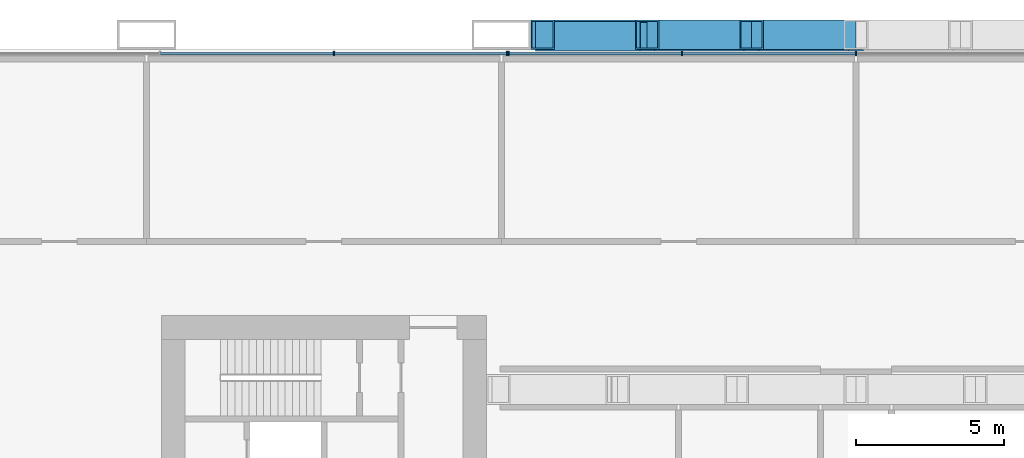
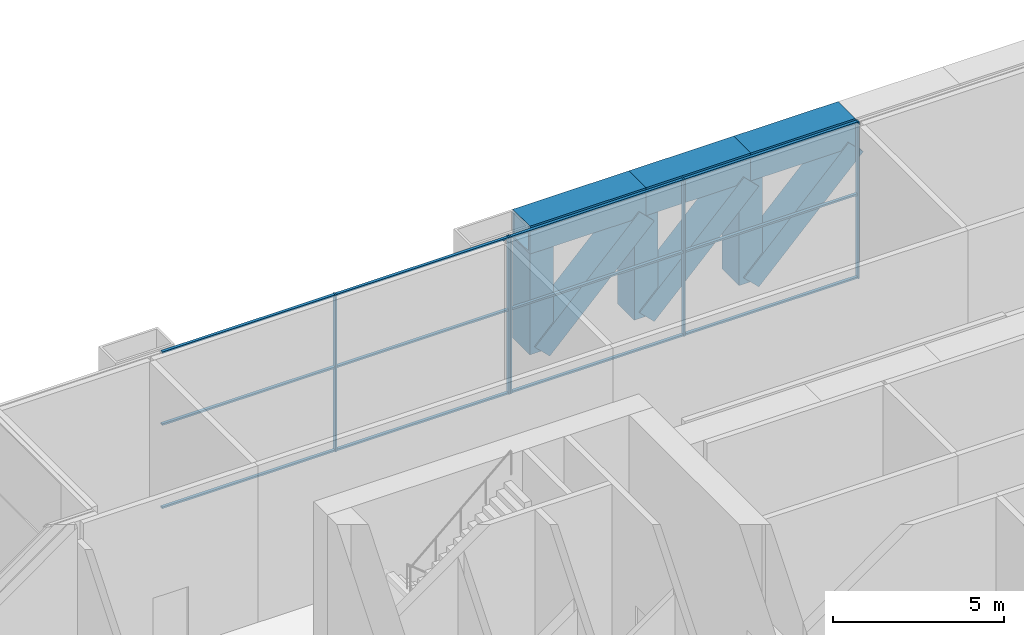
# One storey, part 15 of 27: 23 members, 3 beams, 2 elements without a shape of their own.
"""IFC4 building model written with IfcOpenShell, lengths in metres."""

from ifc_helpers import new_model, si_unit, direction, frame, origin, origin_2d, place, context, subcontext, project, spatial, rectangle, hollow_rectangle, extrude, material, material_profile, profile_set, type_object, element, aggregate, save


model = new_model("IFC4")

# Units and contexts
model_context = context("Model", 3, precision=1e-05, world=origin(), true_north=direction((0.0, 1.0)))
body_context = subcontext(model_context, "Body", "Model", "MODEL_VIEW")
ifc_project = project(units=[si_unit("LENGTHUNIT", "METRE"), si_unit("AREAUNIT", "SQUARE_METRE"), si_unit("VOLUMEUNIT", "CUBIC_METRE"), si_unit("PLANEANGLEUNIT", "RADIAN"), si_unit("MASSUNIT", "GRAM", prefix="KILO")], contexts=[model_context])

# Site, building, storey
site_placement = place(None, origin())
site = spatial("IfcSite", under=ifc_project, at=site_placement, CompositionType="ELEMENT")
building_placement = place(site_placement, origin())
building = spatial("IfcBuilding", under=site, at=building_placement, Name="Kitamizu Gate Tower and Museum", CompositionType="ELEMENT")
storey_placement = place(building_placement, frame((0.0, 0.0, 24.0)))
storey = spatial("IfcBuildingStorey", under=building, at=storey_placement, Name="L04", CompositionType="ELEMENT", Elevation=24.0)

# Curtain wall, members
ifc_material_1 = material(Name="Bronze anodised aluminium frame, tinted triple glazing", Category="aluminium")
curtain_wall_type_1 = type_object("IfcCurtainWallType", Name="CURTAIN WALL TYPE F TRANSFER STOREY", PredefinedType="NOTDEFINED", material=ifc_material_1)
curtain_wall_1_placement = place(storey_placement, origin())
curtain_wall_1 = element("IfcCurtainWall", 1, at=curtain_wall_1_placement, inside=storey, type_object=curtain_wall_type_1, Name="Curtain wall CW-F north L04 part 1", PredefinedType="NOTDEFINED")
ifc_material_2 = material(Name="Bronze anodised aluminium", Category="aluminium")
ifc_material_profile_1 = material_profile(ifc_material_2, rectangle(XDim=0.050048828125, YDim=0.14990234375, at=origin_2d()), Name="AL 50X150")
ifc_profile_set_1 = profile_set([ifc_material_profile_1], Name="Bronze anodised aluminium")
member_type_1 = type_object("IfcMemberType", Name="MULLION 50 X 150 TYPE F", PredefinedType="MULLION", material=ifc_profile_set_1)
member_1_placement = place(storey_placement, frame((18.3359375, 47.364990234375, 0.0), z_axis=(0.0, 0.0, 1.0), x_axis=(1.0, 0.0, 0.0)))
member_1 = element("IfcMember", 2, at=member_1_placement, type_object=member_type_1, Name="CW-F mullion 3", PredefinedType="MULLION", context=body_context, shape_type="SweptSolid", body=[
    extrude(rectangle(XDim=0.050048828125, YDim=0.14990234375, at=origin_2d()), origin(), (0.0, 0.0, 1.0), 5.60009765625),
])
member_2_placement = place(storey_placement, frame((24.198974609375, 47.364990234375, 0.0), z_axis=(0.0, 0.0, 1.0), x_axis=(1.0, 0.0, 0.0)))
member_2 = element("IfcMember", 3, at=member_2_placement, type_object=member_type_1, Name="CW-F mullion 4", PredefinedType="MULLION", context=body_context, shape_type="SweptSolid", body=[
    extrude(rectangle(XDim=0.050048828125, YDim=0.14990234375, at=origin_2d()), origin(), (0.0, 0.0, 1.0), 5.60009765625),
])

ifc_material_3 = material(Name="Bronze anodised aluminium frame, insulated panels", Category="aluminium")
curtain_wall_type_2 = type_object("IfcCurtainWallType", Name="CURTAIN WALL TYPE F TRANSFER STOREY INSULATED", PredefinedType="NOTDEFINED", material=ifc_material_3)
curtain_wall_2_placement = place(storey_placement, origin())
curtain_wall_2 = element("IfcCurtainWall", 4, at=curtain_wall_2_placement, inside=storey, type_object=curtain_wall_type_2, Name="Curtain wall CW-FI north L04 part 2", PredefinedType="NOTDEFINED")
member_3_placement = place(storey_placement, frame((24.2490234375, 47.364990234375, 0.0), z_axis=(0.0, 0.0, 1.0), x_axis=(1.0, 0.0, 0.0)))
member_3 = element("IfcMember", 5, at=member_3_placement, type_object=member_type_1, Name="CW-FI mullion 1", PredefinedType="MULLION", context=body_context, shape_type="SweptSolid", body=[
    extrude(rectangle(XDim=0.050048828125, YDim=0.14990234375, at=origin_2d()), origin(), (0.0, 0.0, 1.0), 5.60009765625),
])
member_4_placement = place(storey_placement, frame((30.112060546875, 47.364990234375, 0.0), z_axis=(0.0, 0.0, 1.0), x_axis=(1.0, 0.0, 0.0)))
member_4 = element("IfcMember", 6, at=member_4_placement, type_object=member_type_1, Name="CW-FI mullion 2", PredefinedType="MULLION", context=body_context, shape_type="SweptSolid", body=[
    extrude(rectangle(XDim=0.050048828125, YDim=0.14990234375, at=origin_2d()), origin(), (0.0, 0.0, 1.0), 5.60009765625),
])
member_5_placement = place(storey_placement, frame((36.0, 47.364990234375, 0.0), z_axis=(0.0, 0.0, 1.0), x_axis=(1.0, 0.0, 0.0)))
member_5 = element("IfcMember", 7, at=member_5_placement, type_object=member_type_1, Name="CW-FI mullion 3", PredefinedType="MULLION", context=body_context, shape_type="SweptSolid", body=[
    extrude(rectangle(XDim=0.050048828125, YDim=0.14990234375, at=origin_2d()), origin(), (0.0, 0.0, 1.0), 5.60009765625),
])

# Member
ifc_material_4 = material(Name="Bronze anodised aluminium", Category="aluminium")
ifc_material_profile_2 = material_profile(ifc_material_4, rectangle(XDim=0.10009765625, YDim=0.06005859375, at=origin_2d()), Name="AL 60X100")
ifc_profile_set_2 = profile_set([ifc_material_profile_2], Name="Bronze anodised aluminium")
member_type_2 = type_object("IfcMemberType", Name="TRANSOM 60 X 100 TYPE F", PredefinedType="USERDEFINED", material=ifc_profile_set_2)
member_6_placement = place(storey_placement, frame((12.472900390625, 47.364990234375, 0.030029296875), z_axis=(1.0, 0.0, 0.0), x_axis=(0.0, 1.0, 0.0)))
member_6 = element("IfcMember", 8, at=member_6_placement, type_object=member_type_2, Name="CW-F transom 2.1", ObjectType="TRANSOM", PredefinedType="USERDEFINED", context=body_context, shape_type="SweptSolid", body=[
    extrude(rectangle(XDim=0.10009765625, YDim=0.06005859375, at=origin_2d()), origin(), (0.0, 0.0, 1.0), 5.838134765625),
])

member_7_placement = place(storey_placement, frame((12.472900390625, 47.364990234375, 3.0), z_axis=(1.0, 0.0, 0.0), x_axis=(0.0, 1.0, 0.0)))
member_7 = element("IfcMember", 9, at=member_7_placement, type_object=member_type_2, Name="CW-F transom 2.2", ObjectType="TRANSOM", PredefinedType="USERDEFINED", context=body_context, shape_type="SweptSolid", body=[
    extrude(rectangle(XDim=0.10009765625, YDim=0.06005859375, at=origin_2d()), origin(), (0.0, 0.0, 1.0), 5.838134765625),
])

member_8_placement = place(storey_placement, frame((12.472900390625, 47.364990234375, 5.570068359375), z_axis=(1.0, 0.0, 0.0), x_axis=(0.0, 1.0, 0.0)))
member_8 = element("IfcMember", 10, at=member_8_placement, type_object=member_type_2, Name="CW-F transom 2.3", ObjectType="TRANSOM", PredefinedType="USERDEFINED", context=body_context, shape_type="SweptSolid", body=[
    extrude(rectangle(XDim=0.10009765625, YDim=0.06005859375, at=origin_2d()), origin(), (0.0, 0.0, 1.0), 5.838134765625),
])

member_9_placement = place(storey_placement, frame((18.361083984375, 47.364990234375, 0.030029296875), z_axis=(1.0, 0.0, 0.0), x_axis=(0.0, 1.0, 0.0)))
member_9 = element("IfcMember", 11, at=member_9_placement, type_object=member_type_2, Name="CW-F transom 3.1", ObjectType="TRANSOM", PredefinedType="USERDEFINED", context=body_context, shape_type="SweptSolid", body=[
    extrude(rectangle(XDim=0.10009765625, YDim=0.06005859375, at=origin_2d()), origin(), (0.0, 0.0, 1.0), 5.81298828125),
])

member_10_placement = place(storey_placement, frame((18.361083984375, 47.364990234375, 3.0), z_axis=(1.0, 0.0, 0.0), x_axis=(0.0, 1.0, 0.0)))
member_10 = element("IfcMember", 12, at=member_10_placement, type_object=member_type_2, Name="CW-F transom 3.2", ObjectType="TRANSOM", PredefinedType="USERDEFINED", context=body_context, shape_type="SweptSolid", body=[
    extrude(rectangle(XDim=0.10009765625, YDim=0.06005859375, at=origin_2d()), origin(), (0.0, 0.0, 1.0), 5.81298828125),
])

member_11_placement = place(storey_placement, frame((18.361083984375, 47.364990234375, 5.570068359375), z_axis=(1.0, 0.0, 0.0), x_axis=(0.0, 1.0, 0.0)))
member_11 = element("IfcMember", 13, at=member_11_placement, type_object=member_type_2, Name="CW-F transom 3.3", ObjectType="TRANSOM", PredefinedType="USERDEFINED", context=body_context, shape_type="SweptSolid", body=[
    extrude(rectangle(XDim=0.10009765625, YDim=0.06005859375, at=origin_2d()), origin(), (0.0, 0.0, 1.0), 5.81298828125),
])

aggregate(curtain_wall_1, [member_1, member_2, member_6, member_7, member_8, member_9, member_10, member_11])

member_12_placement = place(storey_placement, frame((24.27392578125, 47.364990234375, 0.030029296875), z_axis=(1.0, 0.0, 0.0), x_axis=(0.0, 1.0, 0.0)))
member_12 = element("IfcMember", 14, at=member_12_placement, type_object=member_type_2, Name="CW-FI transom 1.1", ObjectType="TRANSOM", PredefinedType="USERDEFINED", context=body_context, shape_type="SweptSolid", body=[
    extrude(rectangle(XDim=0.10009765625, YDim=0.06005859375, at=origin_2d()), origin(), (0.0, 0.0, 1.0), 5.81298828125),
])

member_13_placement = place(storey_placement, frame((24.27392578125, 47.364990234375, 3.0), z_axis=(1.0, 0.0, 0.0), x_axis=(0.0, 1.0, 0.0)))
member_13 = element("IfcMember", 15, at=member_13_placement, type_object=member_type_2, Name="CW-FI transom 1.2", ObjectType="TRANSOM", PredefinedType="USERDEFINED", context=body_context, shape_type="SweptSolid", body=[
    extrude(rectangle(XDim=0.10009765625, YDim=0.06005859375, at=origin_2d()), origin(), (0.0, 0.0, 1.0), 5.81298828125),
])

member_14_placement = place(storey_placement, frame((24.27392578125, 47.364990234375, 5.570068359375), z_axis=(1.0, 0.0, 0.0), x_axis=(0.0, 1.0, 0.0)))
member_14 = element("IfcMember", 16, at=member_14_placement, type_object=member_type_2, Name="CW-FI transom 1.3", ObjectType="TRANSOM", PredefinedType="USERDEFINED", context=body_context, shape_type="SweptSolid", body=[
    extrude(rectangle(XDim=0.10009765625, YDim=0.06005859375, at=origin_2d()), origin(), (0.0, 0.0, 1.0), 5.81298828125),
])

member_15_placement = place(storey_placement, frame((30.136962890625, 47.364990234375, 0.030029296875), z_axis=(1.0, 0.0, 0.0), x_axis=(0.0, 1.0, 0.0)))
member_15 = element("IfcMember", 17, at=member_15_placement, type_object=member_type_2, Name="CW-FI transom 2.1", ObjectType="TRANSOM", PredefinedType="USERDEFINED", context=body_context, shape_type="SweptSolid", body=[
    extrude(rectangle(XDim=0.10009765625, YDim=0.06005859375, at=origin_2d()), origin(), (0.0, 0.0, 1.0), 5.838134765625),
])

member_16_placement = place(storey_placement, frame((30.136962890625, 47.364990234375, 3.0), z_axis=(1.0, 0.0, 0.0), x_axis=(0.0, 1.0, 0.0)))
member_16 = element("IfcMember", 18, at=member_16_placement, type_object=member_type_2, Name="CW-FI transom 2.2", ObjectType="TRANSOM", PredefinedType="USERDEFINED", context=body_context, shape_type="SweptSolid", body=[
    extrude(rectangle(XDim=0.10009765625, YDim=0.06005859375, at=origin_2d()), origin(), (0.0, 0.0, 1.0), 5.838134765625),
])

member_17_placement = place(storey_placement, frame((30.136962890625, 47.364990234375, 5.570068359375), z_axis=(1.0, 0.0, 0.0), x_axis=(0.0, 1.0, 0.0)))
member_17 = element("IfcMember", 19, at=member_17_placement, type_object=member_type_2, Name="CW-FI transom 2.3", ObjectType="TRANSOM", PredefinedType="USERDEFINED", context=body_context, shape_type="SweptSolid", body=[
    extrude(rectangle(XDim=0.10009765625, YDim=0.06005859375, at=origin_2d()), origin(), (0.0, 0.0, 1.0), 5.838134765625),
])

aggregate(curtain_wall_2, [member_3, member_4, member_5, member_12, member_13, member_14, member_15, member_16, member_17])

# Beams
ifc_material_5 = material(Name="Steel SM490A", Category="steel")
ifc_material_profile_3 = material_profile(ifc_material_5, hollow_rectangle(XDim=1.0, YDim=1.0, WallThickness=0.070068359375, at=origin_2d()), Name="BOX 1000x1000x70")
ifc_profile_set_3 = profile_set([ifc_material_profile_3], Name="Steel SM490A")
beam_type = type_object("IfcBeamType", Name="Transfer truss chord TTB1 BOX 1000x1000x70", PredefinedType="BEAM", material=ifc_profile_set_3)
beam_1_placement = place(storey_placement, frame((25.0, 48.0, 5.10009765625), z_axis=(1.0, 0.0, 0.0), x_axis=(0.0, 1.0, 0.0)))
element("IfcBeam", 20, at=beam_1_placement, inside=storey, type_object=beam_type, Name="Transfer truss top chord y48-1", PredefinedType="BEAM", context=body_context, shape_type="SweptSolid", body=[
    extrude(hollow_rectangle(XDim=1.0, YDim=1.0, WallThickness=0.070068359375, at=origin_2d()), origin(), (0.0, 0.0, 1.0), 3.933349609375),
])
beam_2_placement = place(storey_placement, frame((28.933349609375, 48.0, 5.10009765625), z_axis=(1.0, 0.0, 0.0), x_axis=(0.0, 1.0, 0.0)))
element("IfcBeam", 21, at=beam_2_placement, inside=storey, type_object=beam_type, Name="Transfer truss top chord y48-2", PredefinedType="BEAM", context=body_context, shape_type="SweptSolid", body=[
    extrude(hollow_rectangle(XDim=1.0, YDim=1.0, WallThickness=0.070068359375, at=origin_2d()), origin(), (0.0, 0.0, 1.0), 3.533203125),
])
beam_3_placement = place(storey_placement, frame((32.466552734375, 48.0, 5.10009765625), z_axis=(1.0, 0.0, 0.0), x_axis=(0.0, 1.0, 0.0)))
element("IfcBeam", 22, at=beam_3_placement, inside=storey, type_object=beam_type, Name="Transfer truss top chord y48-3", PredefinedType="BEAM", context=body_context, shape_type="SweptSolid", body=[
    extrude(hollow_rectangle(XDim=1.0, YDim=1.0, WallThickness=0.070068359375, at=origin_2d()), origin(), (0.0, 0.0, 1.0), 3.533447265625),
])

# Members
ifc_material_6 = material(Name="Steel SM490A", Category="steel")
ifc_material_profile_4 = material_profile(ifc_material_6, hollow_rectangle(XDim=1.0, YDim=0.699951171875, WallThickness=0.044921875, at=origin_2d()), Name="BOX 1000x700x45")
ifc_profile_set_4 = profile_set([ifc_material_profile_4], Name="Steel SM490A")
member_type_3 = type_object("IfcMemberType", Name="Transfer truss diagonal TTB2 BOX 1000x700x45", PredefinedType="BRACE", material=ifc_profile_set_4)
member_18_placement = place(storey_placement, frame((25.39990234375, 47.955078125, 1.0), z_axis=(0.700469542515, 0.0, 0.71368229627), x_axis=(0.0, 1.0, 0.0)))
element("IfcMember", 23, at=member_18_placement, inside=storey, type_object=member_type_3, Name="Transfer truss diagonal y48-1", PredefinedType="BRACE", context=body_context, shape_type="SweptSolid", body=[
    extrude(hollow_rectangle(XDim=1.0, YDim=0.699951171875, WallThickness=0.044921875, at=origin_2d()), origin(), (0.0, 0.0, 1.0), 5.04443359375),
])
member_19_placement = place(storey_placement, frame((28.933349609375, 47.955078125, 1.0), z_axis=(0.70044488992, 0.0, 0.713706491623), x_axis=(0.0, 1.0, 0.0)))
element("IfcMember", 24, at=member_19_placement, inside=storey, type_object=member_type_3, Name="Transfer truss diagonal y48-2", PredefinedType="BRACE", context=body_context, shape_type="SweptSolid", body=[
    extrude(hollow_rectangle(XDim=1.0, YDim=0.699951171875, WallThickness=0.044921875, at=origin_2d()), origin(), (0.0, 0.0, 1.0), 5.044189453125),
])
member_20_placement = place(storey_placement, frame((32.466552734375, 47.955078125, 1.0), z_axis=(0.700469542515, 0.0, 0.71368229627), x_axis=(0.0, 1.0, 0.0)))
element("IfcMember", 25, at=member_20_placement, inside=storey, type_object=member_type_3, Name="Transfer truss diagonal y48-3", PredefinedType="BRACE", context=body_context, shape_type="SweptSolid", body=[
    extrude(hollow_rectangle(XDim=1.0, YDim=0.699951171875, WallThickness=0.044921875, at=origin_2d()), origin(), (0.0, 0.0, 1.0), 5.04443359375),
])
ifc_material_7 = material(Name="Steel SM490A", Category="steel")
ifc_material_profile_5 = material_profile(ifc_material_7, hollow_rectangle(XDim=0.800048828125, YDim=1.0, WallThickness=0.044921875, at=origin_2d()), Name="BOX 800x1000x45")
ifc_profile_set_5 = profile_set([ifc_material_profile_5], Name="Steel SM490A")
member_type_4 = type_object("IfcMemberType", Name="Transfer truss post TTB3 BOX 800x1000x45", PredefinedType="POST", material=ifc_profile_set_5)
for number, where, z_axis, x_axis, name in (
    (26, (25.39990234375, 48.0, 1.0), (0.0, 0.0, 1.0), (1.0, 0.0, 0.0), "Transfer truss post y48-1"),
    (27, (28.933349609375, 48.0, 1.0), (0.0, 0.0, 1.0), (1.0, 0.0, 0.0), "Transfer truss post y48-2"),
    (28, (32.466552734375, 48.0, 1.0), (0.0, 0.0, 1.0), (1.0, 0.0, 0.0), "Transfer truss post y48-3"),
):
    element("IfcMember", number, at=place(storey_placement, frame(where, z_axis=z_axis, x_axis=x_axis)), inside=storey, type_object=member_type_4, Name=name, PredefinedType="POST", context=body_context, shape_type="SweptSolid", body=[
        extrude(hollow_rectangle(XDim=0.800048828125, YDim=1.0, WallThickness=0.044921875, at=origin_2d()), origin(), (0.0, 0.0, 1.0), 3.60009765625),
    ])

save(model, "model.ifc")
